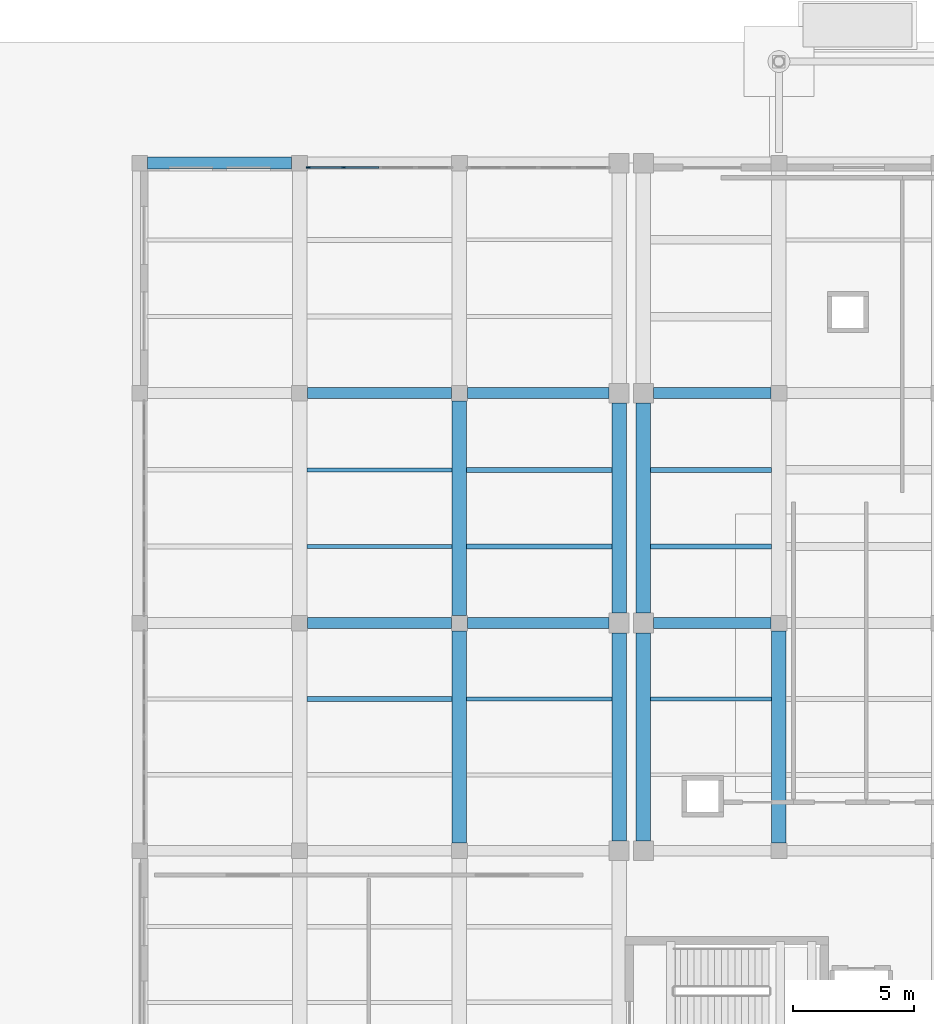
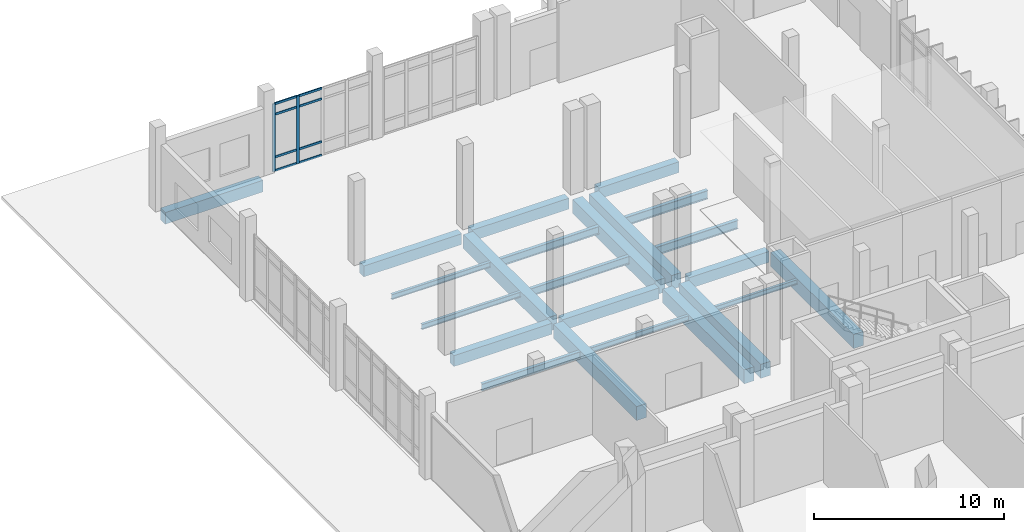
# One storey, part 31 of 79: 23 beams, 10 members, 1 element without a shape of its own.
"""IFC4 building model written with IfcOpenShell, lengths in metres."""

from ifc_helpers import new_model, si_unit, direction, frame, origin, origin_2d, place, context, subcontext, project, spatial, rectangle, i_section, extrude, material, layer, layer_set, material_profile, profile_set, type_object, element, aggregate, save


model = new_model("IFC4")

# Units and contexts
model_context = context("Model", 3, precision=1e-05, world=origin(), true_north=direction((0.0, 1.0)))
body_context = subcontext(model_context, "Body", "Model", "MODEL_VIEW")
ifc_project = project(units=[si_unit("LENGTHUNIT", "METRE"), si_unit("AREAUNIT", "SQUARE_METRE"), si_unit("VOLUMEUNIT", "CUBIC_METRE"), si_unit("PLANEANGLEUNIT", "RADIAN"), si_unit("MASSUNIT", "GRAM", prefix="KILO")], contexts=[model_context])

# Site, building, storey
site_placement = place(None, origin())
site = spatial("IfcSite", under=ifc_project, at=site_placement, CompositionType="ELEMENT")
building_placement = place(site_placement, origin())
building = spatial("IfcBuilding", under=site, at=building_placement, Name="Kelarvand Opera House", CompositionType="ELEMENT")
storey_placement = place(building_placement, origin())
storey = spatial("IfcBuildingStorey", under=building, at=storey_placement, Name="L00", CompositionType="ELEMENT", Elevation=0.0)

# Curtain wall, members
ifc_material_1 = material(Name="Thermally broken aluminium and low-E glazing", Category="aluminium")
ifc_layer = layer(ifc_material_1, 0.179931640625, Name="Thermally broken aluminium and low-E glazing", Category="aluminium")
ifc_layer_set = layer_set([ifc_layer], Name="Thermally broken aluminium and low-E glazing")
curtain_wall_type = type_object("IfcCurtainWallType", Name="Unitised Low-E Curtain Wall 5930x4350 Mod 1450 CWF-39", PredefinedType="USERDEFINED", material=ifc_layer_set)
curtain_wall_placement = place(storey_placement, origin())
curtain_wall = element("IfcCurtainWall", 1, at=curtain_wall_placement, inside=storey, type_object=curtain_wall_type, Name="V5 L00 Curtain Wall CWF-39 (167)", ObjectType="UNITISED CURTAIN WALL", PredefinedType="USERDEFINED")
ifc_material_2 = material(Name="Thermally broken anodised aluminium", Category="aluminium")
ifc_material_profile_1 = material_profile(ifc_material_2, rectangle(XDim=0.06494140625, YDim=0.179931640625, at=origin_2d()), Name="ALU MULLION 65x180", Category="aluminium")
ifc_profile_set_1 = profile_set([ifc_material_profile_1], Name="Thermally broken anodised aluminium")
member_type_1 = type_object("IfcMemberType", Name="Curtain Wall Mullion 65x180 Aluminium", PredefinedType="MULLION", material=ifc_profile_set_1)
member_1_placement = place(storey_placement, frame((102.5673828125, 124.820068359375, 0.0), z_axis=(0.0, 0.0, 1.0), x_axis=(0.0, 1.0, 0.0)))
member_1 = element("IfcMember", 2, at=member_1_placement, type_object=member_type_1, Name="CWF-39 mullion 1", PredefinedType="MULLION", context=body_context, shape_type="SweptSolid", body=[
    extrude(rectangle(XDim=0.06494140625, YDim=0.179931640625, at=origin_2d()), origin(), (0.0, 0.0, 1.0), 4.35009765625),
])
member_2_placement = place(storey_placement, frame((104.017578125, 124.820068359375, 0.0), z_axis=(0.0, 0.0, 1.0), x_axis=(0.0, 1.0, 0.0)))
member_2 = element("IfcMember", 3, at=member_2_placement, type_object=member_type_1, Name="CWF-39 mullion 2", PredefinedType="MULLION", context=body_context, shape_type="SweptSolid", body=[
    extrude(rectangle(XDim=0.06494140625, YDim=0.179931640625, at=origin_2d()), origin(), (0.0, 0.0, 1.0), 4.35009765625),
])
ifc_material_profile_2 = material_profile(ifc_material_2, rectangle(XDim=0.06494140625, YDim=0.139892578125, at=origin_2d()), Name="ALU TRANSOM 65x140", Category="aluminium")
ifc_profile_set_2 = profile_set([ifc_material_profile_2], Name="Thermally broken anodised aluminium")
member_type_2 = type_object("IfcMemberType", Name="Curtain Wall Transom 65x140 Aluminium", PredefinedType="USERDEFINED", material=ifc_profile_set_2)
member_3_placement = place(storey_placement, frame((102.60009765625, 124.820068359375, 0.032470703125), z_axis=(1.0, 0.0, 0.0), x_axis=(0.0, 1.0, 0.0)))
member_3 = element("IfcMember", 4, at=member_3_placement, type_object=member_type_2, Name="CWF-39 transom 1.1", ObjectType="TRANSOM", PredefinedType="USERDEFINED", context=body_context, shape_type="SweptSolid", body=[
    extrude(rectangle(XDim=0.06494140625, YDim=0.139892578125, at=origin_2d()), origin(), (0.0, 0.0, 1.0), 1.385009765625),
])
member_4_placement = place(storey_placement, frame((102.60009765625, 124.820068359375, 0.89990234375), z_axis=(1.0, 0.0, 0.0), x_axis=(0.0, 1.0, 0.0)))
member_4 = element("IfcMember", 5, at=member_4_placement, type_object=member_type_2, Name="CWF-39 transom 1.2", ObjectType="TRANSOM", PredefinedType="USERDEFINED", context=body_context, shape_type="SweptSolid", body=[
    extrude(rectangle(XDim=0.06494140625, YDim=0.139892578125, at=origin_2d()), origin(), (0.0, 0.0, 1.0), 1.385009765625),
])
member_5_placement = place(storey_placement, frame((102.60009765625, 124.820068359375, 3.64990234375), z_axis=(1.0, 0.0, 0.0), x_axis=(0.0, 1.0, 0.0)))
member_5 = element("IfcMember", 6, at=member_5_placement, type_object=member_type_2, Name="CWF-39 transom 1.3", ObjectType="TRANSOM", PredefinedType="USERDEFINED", context=body_context, shape_type="SweptSolid", body=[
    extrude(rectangle(XDim=0.06494140625, YDim=0.139892578125, at=origin_2d()), origin(), (0.0, 0.0, 1.0), 1.385009765625),
])
member_6_placement = place(storey_placement, frame((102.60009765625, 124.820068359375, 4.3173828125), z_axis=(1.0, 0.0, 0.0), x_axis=(0.0, 1.0, 0.0)))
member_6 = element("IfcMember", 7, at=member_6_placement, type_object=member_type_2, Name="CWF-39 transom 1.4", ObjectType="TRANSOM", PredefinedType="USERDEFINED", context=body_context, shape_type="SweptSolid", body=[
    extrude(rectangle(XDim=0.06494140625, YDim=0.139892578125, at=origin_2d()), origin(), (0.0, 0.0, 1.0), 1.385009765625),
])
member_7_placement = place(storey_placement, frame((104.050048828125, 124.820068359375, 0.032470703125), z_axis=(1.0, 0.0, 0.0), x_axis=(0.0, 1.0, 0.0)))
member_7 = element("IfcMember", 8, at=member_7_placement, type_object=member_type_2, Name="CWF-39 transom 2.1", ObjectType="TRANSOM", PredefinedType="USERDEFINED", context=body_context, shape_type="SweptSolid", body=[
    extrude(rectangle(XDim=0.06494140625, YDim=0.139892578125, at=origin_2d()), origin(), (0.0, 0.0, 1.0), 1.41748046875),
])
member_8_placement = place(storey_placement, frame((104.050048828125, 124.820068359375, 0.89990234375), z_axis=(1.0, 0.0, 0.0), x_axis=(0.0, 1.0, 0.0)))
member_8 = element("IfcMember", 9, at=member_8_placement, type_object=member_type_2, Name="CWF-39 transom 2.2", ObjectType="TRANSOM", PredefinedType="USERDEFINED", context=body_context, shape_type="SweptSolid", body=[
    extrude(rectangle(XDim=0.06494140625, YDim=0.139892578125, at=origin_2d()), origin(), (0.0, 0.0, 1.0), 1.41748046875),
])
member_9_placement = place(storey_placement, frame((104.050048828125, 124.820068359375, 3.64990234375), z_axis=(1.0, 0.0, 0.0), x_axis=(0.0, 1.0, 0.0)))
member_9 = element("IfcMember", 10, at=member_9_placement, type_object=member_type_2, Name="CWF-39 transom 2.3", ObjectType="TRANSOM", PredefinedType="USERDEFINED", context=body_context, shape_type="SweptSolid", body=[
    extrude(rectangle(XDim=0.06494140625, YDim=0.139892578125, at=origin_2d()), origin(), (0.0, 0.0, 1.0), 1.41748046875),
])
member_10_placement = place(storey_placement, frame((104.050048828125, 124.820068359375, 4.3173828125), z_axis=(1.0, 0.0, 0.0), x_axis=(0.0, 1.0, 0.0)))
member_10 = element("IfcMember", 11, at=member_10_placement, type_object=member_type_2, Name="CWF-39 transom 2.4", ObjectType="TRANSOM", PredefinedType="USERDEFINED", context=body_context, shape_type="SweptSolid", body=[
    extrude(rectangle(XDim=0.06494140625, YDim=0.139892578125, at=origin_2d()), origin(), (0.0, 0.0, 1.0), 1.41748046875),
])
aggregate(curtain_wall, [member_1, member_2, member_3, member_4, member_5, member_6, member_7, member_8, member_9, member_10])

# Beams
ifc_material_3 = material(Name="Concrete C40/50", Category="concrete")
ifc_material_profile_3 = material_profile(ifc_material_3, rectangle(XDim=0.449951171875, YDim=0.699951171875, at=origin_2d()), Name="RC 450x700", Category="concrete")
ifc_profile_set_3 = profile_set([ifc_material_profile_3], Name="Concrete C40/50")
beam_type_1 = type_object("IfcBeamType", Name="Structural Beam RC 450x700 BM-RC450x700", PredefinedType="BEAM", material=ifc_profile_set_3)
beam_1_placement = place(storey_placement, frame((102.52490234375, 106.0, -0.64990234375), z_axis=(1.0, 0.0, 0.0), x_axis=(0.0, 1.0, 0.0)))
element("IfcBeam", 12, at=beam_1_placement, inside=storey, type_object=beam_type_1, Name="V5 L00 Beam BM-RC450x700", PredefinedType="BEAM", context=body_context, shape_type="SweptSolid", body=[
    extrude(rectangle(XDim=0.449951171875, YDim=0.699951171875, at=origin_2d()), origin(), (0.0, 0.0, 1.0), 5.9501953125),
])
beam_2_placement = place(storey_placement, frame((109.125, 106.0, -0.64990234375), z_axis=(1.0, 0.0, 0.0), x_axis=(0.0, 1.0, 0.0)))
element("IfcBeam", 13, at=beam_2_placement, inside=storey, type_object=beam_type_1, Name="V5 L00 Beam BM-RC450x700", PredefinedType="BEAM", context=body_context, shape_type="SweptSolid", body=[
    extrude(rectangle(XDim=0.449951171875, YDim=0.699951171875, at=origin_2d()), origin(), (0.0, 0.0, 1.0), 5.864990234375),
])
beam_3_placement = place(storey_placement, frame((116.81005859375, 106.0, -0.64990234375), z_axis=(1.0, 0.0, 0.0), x_axis=(0.0, 1.0, 0.0)))
element("IfcBeam", 14, at=beam_3_placement, inside=storey, type_object=beam_type_1, Name="V5 L00 Beam BM-RC450x700", PredefinedType="BEAM", context=body_context, shape_type="SweptSolid", body=[
    extrude(rectangle(XDim=0.449951171875, YDim=0.699951171875, at=origin_2d()), origin(), (0.0, 0.0, 1.0), 4.864990234375),
])
beam_4_placement = place(storey_placement, frame((102.52490234375, 115.5, -0.64990234375), z_axis=(1.0, 0.0, 0.0), x_axis=(0.0, 1.0, 0.0)))
element("IfcBeam", 15, at=beam_4_placement, inside=storey, type_object=beam_type_1, Name="V5 L00 Beam BM-RC450x700", PredefinedType="BEAM", context=body_context, shape_type="SweptSolid", body=[
    extrude(rectangle(XDim=0.449951171875, YDim=0.699951171875, at=origin_2d()), origin(), (0.0, 0.0, 1.0), 5.9501953125),
])
beam_5_placement = place(storey_placement, frame((109.125, 115.5, -0.64990234375), z_axis=(1.0, 0.0, 0.0), x_axis=(0.0, 1.0, 0.0)))
element("IfcBeam", 16, at=beam_5_placement, inside=storey, type_object=beam_type_1, Name="V5 L00 Beam BM-RC450x700", PredefinedType="BEAM", context=body_context, shape_type="SweptSolid", body=[
    extrude(rectangle(XDim=0.449951171875, YDim=0.699951171875, at=origin_2d()), origin(), (0.0, 0.0, 1.0), 5.864990234375),
])
beam_6_placement = place(storey_placement, frame((116.81005859375, 115.5, -0.64990234375), z_axis=(1.0, 0.0, 0.0), x_axis=(0.0, 1.0, 0.0)))
element("IfcBeam", 17, at=beam_6_placement, inside=storey, type_object=beam_type_1, Name="V5 L00 Beam BM-RC450x700", PredefinedType="BEAM", context=body_context, shape_type="SweptSolid", body=[
    extrude(rectangle(XDim=0.449951171875, YDim=0.699951171875, at=origin_2d()), origin(), (0.0, 0.0, 1.0), 4.864990234375),
])
ifc_material_profile_4 = material_profile(ifc_material_3, rectangle(XDim=0.60009765625, YDim=0.89990234375, at=origin_2d()), Name="RC 600x900", Category="concrete")
ifc_profile_set_4 = profile_set([ifc_material_profile_4], Name="Concrete C40/50")
beam_type_2 = type_object("IfcBeamType", Name="Structural Beam RC 600x900 BM-RC600x900", PredefinedType="BEAM", material=ifc_profile_set_4)
beam_7_placement = place(storey_placement, frame((108.800048828125, 96.925048828125, -0.75), z_axis=(0.0, 1.0, 0.0), x_axis=(-1.0, 0.0, 0.0)))
element("IfcBeam", 18, at=beam_7_placement, inside=storey, type_object=beam_type_2, Name="V5 L00 Beam BM-RC600x900", PredefinedType="BEAM", context=body_context, shape_type="SweptSolid", body=[
    extrude(rectangle(XDim=0.60009765625, YDim=0.89990234375, at=origin_2d()), origin(), (0.0, 0.0, 1.0), 8.75),
])
beam_8_placement = place(storey_placement, frame((108.800048828125, 106.324951171875, -0.75), z_axis=(0.0, 1.0, 0.0), x_axis=(-1.0, 0.0, 0.0)))
element("IfcBeam", 19, at=beam_8_placement, inside=storey, type_object=beam_type_2, Name="V5 L00 Beam BM-RC600x900", PredefinedType="BEAM", context=body_context, shape_type="SweptSolid", body=[
    extrude(rectangle(XDim=0.60009765625, YDim=0.89990234375, at=origin_2d()), origin(), (0.0, 0.0, 1.0), 8.85009765625),
])
beam_9_placement = place(storey_placement, frame((115.39990234375, 97.010009765625, -0.75), z_axis=(0.0, 1.0, 0.0), x_axis=(-1.0, 0.0, 0.0)))
element("IfcBeam", 20, at=beam_9_placement, inside=storey, type_object=beam_type_2, Name="V5 L00 Beam BM-RC600x900", PredefinedType="BEAM", context=body_context, shape_type="SweptSolid", body=[
    extrude(rectangle(XDim=0.60009765625, YDim=0.89990234375, at=origin_2d()), origin(), (0.0, 0.0, 1.0), 8.580078125),
])
beam_10_placement = place(storey_placement, frame((115.39990234375, 106.409912109375, -0.75), z_axis=(0.0, 1.0, 0.0), x_axis=(-1.0, 0.0, 0.0)))
element("IfcBeam", 21, at=beam_10_placement, inside=storey, type_object=beam_type_2, Name="V5 L00 Beam BM-RC600x900", PredefinedType="BEAM", context=body_context, shape_type="SweptSolid", body=[
    extrude(rectangle(XDim=0.60009765625, YDim=0.89990234375, at=origin_2d()), origin(), (0.0, 0.0, 1.0), 8.68017578125),
])
beam_11_placement = place(storey_placement, frame((116.39990234375, 97.010009765625, -0.75), z_axis=(0.0, 1.0, 0.0), x_axis=(-1.0, 0.0, 0.0)))
element("IfcBeam", 22, at=beam_11_placement, inside=storey, type_object=beam_type_2, Name="V5 L00 Beam BM-RC600x900", PredefinedType="BEAM", context=body_context, shape_type="SweptSolid", body=[
    extrude(rectangle(XDim=0.60009765625, YDim=0.89990234375, at=origin_2d()), origin(), (0.0, 0.0, 1.0), 8.580078125),
])
beam_12_placement = place(storey_placement, frame((116.39990234375, 106.409912109375, -0.75), z_axis=(0.0, 1.0, 0.0), x_axis=(-1.0, 0.0, 0.0)))
element("IfcBeam", 23, at=beam_12_placement, inside=storey, type_object=beam_type_2, Name="V5 L00 Beam BM-RC600x900", PredefinedType="BEAM", context=body_context, shape_type="SweptSolid", body=[
    extrude(rectangle(XDim=0.60009765625, YDim=0.89990234375, at=origin_2d()), origin(), (0.0, 0.0, 1.0), 8.68017578125),
])
beam_13_placement = place(storey_placement, frame((122.0, 96.925048828125, -0.75), z_axis=(0.0, 1.0, 0.0), x_axis=(-1.0, 0.0, 0.0)))
element("IfcBeam", 24, at=beam_13_placement, inside=storey, type_object=beam_type_2, Name="V5 L00 Beam BM-RC600x900", PredefinedType="BEAM", context=body_context, shape_type="SweptSolid", body=[
    extrude(rectangle(XDim=0.60009765625, YDim=0.89990234375, at=origin_2d()), origin(), (0.0, 0.0, 1.0), 8.75),
])
ifc_material_4 = material(Name="Steel S355", Category="steel")
ifc_material_profile_5 = material_profile(ifc_material_4, i_section(OverallWidth=0.14990234375, OverallDepth=0.300048828125, WebThickness=0.007080078125, FlangeThickness=0.0107421875, at=origin_2d()), Name="IPE 300", Category="steel")
ifc_profile_set_5 = profile_set([ifc_material_profile_5], Name="Steel S355")
beam_type_3 = type_object("IfcBeamType", Name="Structural Joist IPE 300 JS-IPE300", PredefinedType="JOIST", material=ifc_profile_set_5)
beam_14_placement = place(storey_placement, frame((116.699951171875, 102.86669921875, -0.449951171875), z_axis=(1.0, 0.0, 0.0), x_axis=(0.0, 1.0, 0.0)))
element("IfcBeam", 25, at=beam_14_placement, inside=storey, type_object=beam_type_3, Name="V5 L00 Beam JS-IPE300", PredefinedType="JOIST", context=body_context, shape_type="SweptSolid", body=[
    extrude(i_section(OverallWidth=0.14990234375, OverallDepth=0.300048828125, WebThickness=0.007080078125, FlangeThickness=0.0107421875, at=origin_2d()), origin(), (0.0, 0.0, 1.0), 5.0),
])
ifc_material_profile_6 = material_profile(ifc_material_4, i_section(OverallWidth=0.159912109375, OverallDepth=0.330078125, WebThickness=0.007568359375, FlangeThickness=0.011474609375, at=origin_2d()), Name="IPE 330", Category="steel")
ifc_profile_set_6 = profile_set([ifc_material_profile_6], Name="Steel S355")
beam_type_4 = type_object("IfcBeamType", Name="Structural Joist IPE 330 JS-IPE330", PredefinedType="JOIST", material=ifc_profile_set_6)
for number, where, z_axis, x_axis, name in (
    (26, (102.5, 109.166748046875, -0.465087890625), (1.0, 0.0, 0.0), (0.0, 1.0, 0.0), "V5 L00 Beam JS-IPE330"),
    (27, (102.5, 112.333251953125, -0.465087890625), (1.0, 0.0, 0.0), (0.0, 1.0, 0.0), "V5 L00 Beam JS-IPE330"),
    (28, (109.10009765625, 102.86669921875, -0.465087890625), (1.0, 0.0, 0.0), (0.0, 1.0, 0.0), "V5 L00 Beam JS-IPE330"),
):
    element("IfcBeam", number, at=place(storey_placement, frame(where, z_axis=z_axis, x_axis=x_axis)), inside=storey, type_object=beam_type_4, Name=name, PredefinedType="JOIST", context=body_context, shape_type="SweptSolid", body=[
        extrude(i_section(OverallWidth=0.159912109375, OverallDepth=0.330078125, WebThickness=0.007568359375, FlangeThickness=0.011474609375, at=origin_2d()), origin(), (0.0, 0.0, 1.0), 6.0),
    ])
ifc_material_profile_7 = material_profile(ifc_material_4, i_section(OverallWidth=0.18994140625, OverallDepth=0.449951171875, WebThickness=0.009521484375, FlangeThickness=0.0146484375, at=origin_2d()), Name="IPE 450", Category="steel")
ifc_profile_set_7 = profile_set([ifc_material_profile_7], Name="Steel S355")
beam_type_5 = type_object("IfcBeamType", Name="Structural Joist IPE 450 JS-IPE450", PredefinedType="JOIST", material=ifc_profile_set_7)
beam_15_placement = place(storey_placement, frame((102.5, 102.86669921875, -0.52490234375), z_axis=(1.0, 0.0, 0.0), x_axis=(0.0, 1.0, 0.0)))
element("IfcBeam", 29, at=beam_15_placement, inside=storey, type_object=beam_type_5, Name="V5 L00 Beam JS-IPE450", PredefinedType="JOIST", context=body_context, shape_type="SweptSolid", body=[
    extrude(i_section(OverallWidth=0.18994140625, OverallDepth=0.449951171875, WebThickness=0.009521484375, FlangeThickness=0.0146484375, at=origin_2d()), origin(), (0.0, 0.0, 1.0), 6.0),
])
ifc_material_profile_8 = material_profile(ifc_material_4, i_section(OverallWidth=0.199951171875, OverallDepth=0.5, WebThickness=0.01025390625, FlangeThickness=0.01611328125, at=origin_2d()), Name="IPE 500", Category="steel")
ifc_profile_set_8 = profile_set([ifc_material_profile_8], Name="Steel S355")
beam_type_6 = type_object("IfcBeamType", Name="Structural Joist IPE 500 JS-IPE500", PredefinedType="JOIST", material=ifc_profile_set_8)
for number, where, z_axis, x_axis, name in (
    (30, (109.10009765625, 109.166748046875, -0.550048828125), (1.0, 0.0, 0.0), (0.0, 1.0, 0.0), "V5 L00 Beam JS-IPE500"),
    (31, (109.10009765625, 112.333251953125, -0.550048828125), (1.0, 0.0, 0.0), (0.0, 1.0, 0.0), "V5 L00 Beam JS-IPE500"),
):
    element("IfcBeam", number, at=place(storey_placement, frame(where, z_axis=z_axis, x_axis=x_axis)), inside=storey, type_object=beam_type_6, Name=name, PredefinedType="JOIST", context=body_context, shape_type="SweptSolid", body=[
        extrude(i_section(OverallWidth=0.199951171875, OverallDepth=0.5, WebThickness=0.01025390625, FlangeThickness=0.01611328125, at=origin_2d()), origin(), (0.0, 0.0, 1.0), 6.0),
    ])
ifc_material_profile_9 = material_profile(ifc_material_4, i_section(OverallWidth=0.2099609375, OverallDepth=0.550048828125, WebThickness=0.010986328125, FlangeThickness=0.01708984375, at=origin_2d()), Name="IPE 550", Category="steel")
ifc_profile_set_9 = profile_set([ifc_material_profile_9], Name="Steel S355")
beam_type_7 = type_object("IfcBeamType", Name="Structural Joist IPE 550 JS-IPE550", PredefinedType="JOIST", material=ifc_profile_set_9)
for number, where, z_axis, x_axis, name in (
    (32, (116.699951171875, 109.166748046875, -0.574951171875), (1.0, 0.0, 0.0), (0.0, 1.0, 0.0), "V5 L00 Beam JS-IPE550"),
    (33, (116.699951171875, 112.333251953125, -0.574951171875), (1.0, 0.0, 0.0), (0.0, 1.0, 0.0), "V5 L00 Beam JS-IPE550"),
):
    element("IfcBeam", number, at=place(storey_placement, frame(where, z_axis=z_axis, x_axis=x_axis)), inside=storey, type_object=beam_type_7, Name=name, PredefinedType="JOIST", context=body_context, shape_type="SweptSolid", body=[
        extrude(i_section(OverallWidth=0.2099609375, OverallDepth=0.550048828125, WebThickness=0.010986328125, FlangeThickness=0.01708984375, at=origin_2d()), origin(), (0.0, 0.0, 1.0), 5.0),
    ])
ifc_material_profile_10 = material_profile(ifc_material_3, rectangle(XDim=0.5, YDim=0.75, at=origin_2d()), Name="RC 500x750", Category="concrete")
ifc_profile_set_10 = profile_set([ifc_material_profile_10], Name="Concrete C40/50")
beam_type_8 = type_object("IfcBeamType", Name="Structural Spandrel RC 500x750 SP-RC500x750E", PredefinedType="SPANDREL", material=ifc_profile_set_10)
beam_16_placement = place(storey_placement, frame((95.925048828125, 125.0, -0.675048828125), z_axis=(1.0, 0.0, 0.0), x_axis=(0.0, 1.0, 0.0)))
element("IfcBeam", 34, at=beam_16_placement, inside=storey, type_object=beam_type_8, Name="V5 L00 Beam SP-RC500x750E", PredefinedType="SPANDREL", context=body_context, shape_type="SweptSolid", body=[
    extrude(rectangle(XDim=0.5, YDim=0.75, at=origin_2d()), origin(), (0.0, 0.0, 1.0), 5.949951171875),
])

save(model, "model.ifc")
